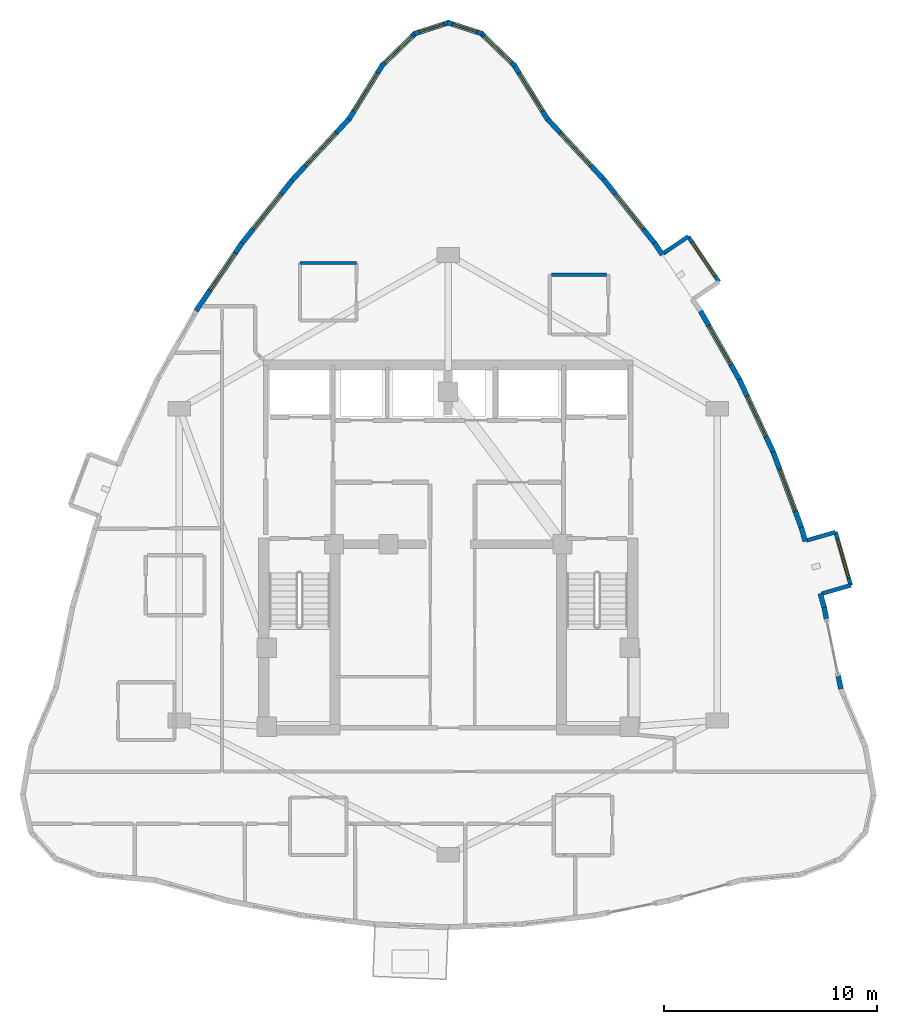
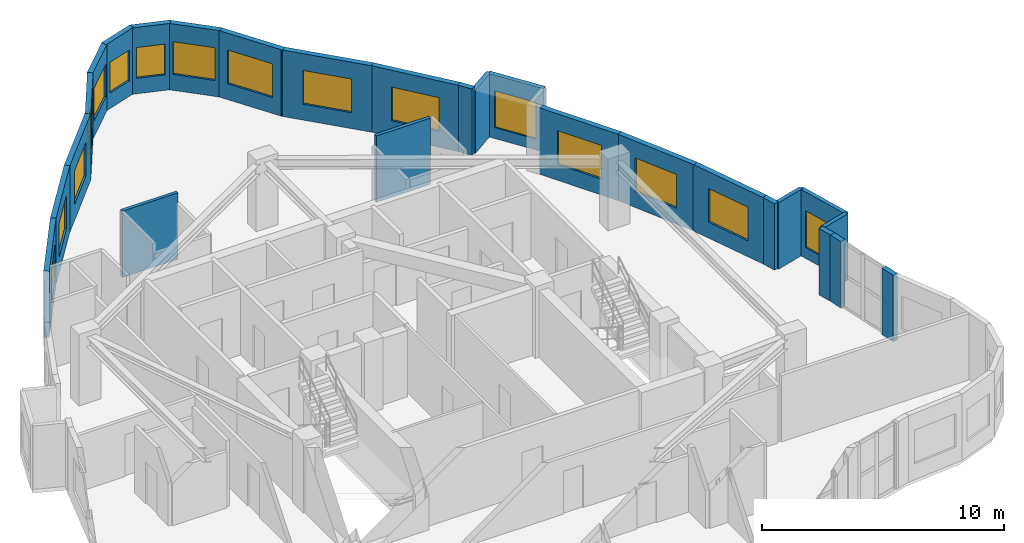
# One storey, part 13 of 15: 26 walls, 16 windows, 16 openings.
"""IFC4 building model written with IfcOpenShell, lengths in metres."""

from ifc_helpers import new_model, si_unit, direction, frame, frame_2d, origin, place, context, subcontext, project, spatial, rectangle, extrude, material, layer, layer_set, type_object, element, fill, save


model = new_model("IFC4")

# Units and contexts
model_context = context("Model", 3, precision=1e-05, world=origin(), true_north=direction((0.0, 1.0)))
body_context = subcontext(model_context, "Body", "Model", "MODEL_VIEW")
ifc_project = project(units=[si_unit("LENGTHUNIT", "METRE"), si_unit("AREAUNIT", "SQUARE_METRE"), si_unit("VOLUMEUNIT", "CUBIC_METRE"), si_unit("PLANEANGLEUNIT", "RADIAN"), si_unit("MASSUNIT", "GRAM", prefix="KILO")], contexts=[model_context])

# Site, building, storey
site_placement = place(None, origin())
site = spatial("IfcSite", under=ifc_project, at=site_placement, CompositionType="ELEMENT")
building_placement = place(site_placement, origin())
building = spatial("IfcBuilding", under=site, at=building_placement, Name="Miruveldt Soraemaru", CompositionType="ELEMENT")
storey_placement = place(building_placement, frame((0.0, 0.0, 234.0)))
storey = spatial("IfcBuildingStorey", under=building, at=storey_placement, Name="L64", CompositionType="ELEMENT", Elevation=234.0)

# Walls
ifc_material_1 = material(Name="White powder-coated aluminium EN AW-6060 T6", Category="aluminium")
ifc_layer_1 = layer(ifc_material_1, 0.18994140625, Name="White powder-coated aluminium EN AW-6060 T6", Category="aluminium")
ifc_layer_set_1 = layer_set([ifc_layer_1], Name="White powder-coated aluminium EN AW-6060 T6")
wall_type_1 = type_object("IfcWallType", Name="WALL-BAY-ALU190", PredefinedType="SOLIDWALL", material=ifc_layer_set_1)
for number, where, z_axis, x_axis, name in (
    (1, (61.493408203125, 41.7294921875, 0.0), (0.0, 0.0, 1.0), (0.961439844578, 0.275015318223, 0.0), "L64 Bay Window Side Cheek 1L"),
    (2, (62.1484375, 44.62109375, 0.0), (0.0, 0.0, 1.0), (-0.961394527133, -0.275173696414, 0.0), "L64 Bay Window Side Cheek 1R"),
):
    element("IfcWall", number, at=place(storey_placement, frame(where, z_axis=z_axis, x_axis=x_axis)), inside=storey, type_object=wall_type_1, Name=name, PredefinedType="SOLIDWALL", context=body_context, shape_type="SweptSolid", body=[
        extrude(rectangle(XDim=1.4248046875, YDim=0.18994140625, at=frame_2d((0.71240234375, 0.0))), origin(), (0.0, 0.0, 1.0), 3.344970703125),
    ])

# Wall, opening, window
wall_1_placement = place(storey_placement, frame((62.86328125, 42.121337890625, 0.0), z_axis=(0.0, 0.0, 1.0), x_axis=(-0.274944358644, 0.961460139397, 0.0)))
wall_1 = element("IfcWall", 3, at=wall_1_placement, inside=storey, type_object=wall_type_1, Name="L64 Bay Window Front Frame 1", PredefinedType="SOLIDWALL", context=body_context, shape_type="SweptSolid", body=[
    extrude(rectangle(XDim=2.599853515625, YDim=0.18994140625, at=frame_2d((1.2998046875, 0.0))), origin(), (0.0, 0.0, 1.0), 3.344970703125),
])
opening_1_placement = place(wall_1_placement, frame((0.35009765625, 0.0, 0.550048828125)))
opening_1 = element("IfcOpeningElement", 4, at=opening_1_placement, cuts=wall_1, Name="Opening WN-6", PredefinedType="OPENING", context=body_context, shape_type="SweptSolid", body=[
    extrude(rectangle(XDim=1.89990234375, YDim=1.85009765625, at=frame_2d((0.949951171875, 0.925048828125))), frame((0.0, 0.10498046875, 0.0), z_axis=(0.0, -1.0, 0.0), x_axis=(1.0, 0.0, 0.0)), (0.0, 0.0, 1.0), 0.2099609375),
])
ifc_material_2 = material(Name="Triple low-e insulated glazing", Category="glass")
window_type_1 = type_object("IfcWindowType", Name="WIN-BAYW-1900x1850", PartitioningType="SINGLE_PANEL", PredefinedType="WINDOW", material=ifc_material_2)
window_1_placement = place(opening_1_placement, origin())
window_1 = element("IfcWindow", 5, at=window_1_placement, inside=storey, type_object=window_type_1, Name="L64 Projecting Bay Window 1", OverallHeight=1.85009765625, OverallWidth=1.89990234375, PartitioningType="SINGLE_PANEL", PredefinedType="WINDOW", context=body_context, shape_type="SweptSolid", body=[
    extrude(rectangle(XDim=1.89990234375, YDim=1.85009765625, at=frame_2d((0.949951171875, 0.925048828125))), frame((0.0, 0.030029296875, 0.0), z_axis=(0.0, -1.0, 0.0), x_axis=(1.0, 0.0, 0.0)), (0.0, 0.0, 1.0), 0.06005859375),
])
fill(opening_1, window_1)

# Wall
wall_2_placement = place(storey_placement, frame((55.2451171875, 58.472412109375, 0.0), z_axis=(0.0, 0.0, 1.0), x_axis=(-0.827916124573, -0.56085193293, 0.0)))
element("IfcWall", 6, at=wall_2_placement, inside=storey, type_object=wall_type_1, Name="L64 Bay Window Side Cheek 2R", PredefinedType="SOLIDWALL", context=body_context, shape_type="SweptSolid", body=[
    extrude(rectangle(XDim=1.42529296875, YDim=0.18994140625, at=frame_2d((0.712646484375, 0.0))), origin(), (0.0, 0.0, 1.0), 3.195068359375),
])

# Wall, opening, window
wall_3_placement = place(storey_placement, frame((56.686279296875, 56.3447265625, 0.0), z_axis=(0.0, 0.0, 1.0), x_axis=(-0.560801930347, 0.827949995422, 0.0)))
wall_3 = element("IfcWall", 7, at=wall_3_placement, inside=storey, type_object=wall_type_1, Name="L64 Bay Window Front Frame 2", PredefinedType="SOLIDWALL", context=body_context, shape_type="SweptSolid", body=[
    extrude(rectangle(XDim=2.56982421875, YDim=0.18994140625, at=frame_2d((1.284912109375, 0.0))), origin(), (0.0, 0.0, 1.0), 3.195068359375),
])
opening_2_placement = place(wall_3_placement, frame((0.3349609375, 0.0, 0.550048828125)))
opening_2 = element("IfcOpeningElement", 8, at=opening_2_placement, cuts=wall_3, Name="Opening WN-6", PredefinedType="OPENING", context=body_context, shape_type="SweptSolid", body=[
    extrude(rectangle(XDim=1.89990234375, YDim=1.85009765625, at=frame_2d((0.949951171875, 0.925048828125))), frame((0.0, 0.10498046875, 0.0), z_axis=(0.0, -1.0, 0.0), x_axis=(1.0, 0.0, 0.0)), (0.0, 0.0, 1.0), 0.2099609375),
])
window_2_placement = place(opening_2_placement, origin())
window_2 = element("IfcWindow", 9, at=window_2_placement, inside=storey, type_object=window_type_1, Name="L64 Projecting Bay Window 2", OverallHeight=1.85009765625, OverallWidth=1.89990234375, PartitioningType="SINGLE_PANEL", PredefinedType="WINDOW", context=body_context, shape_type="SweptSolid", body=[
    extrude(rectangle(XDim=1.89990234375, YDim=1.85009765625, at=frame_2d((0.949951171875, 0.925048828125))), frame((0.0, 0.030029296875, 0.0), z_axis=(0.0, -1.0, 0.0), x_axis=(1.0, 0.0, 0.0)), (0.0, 0.0, 1.0), 0.06005859375),
])
fill(opening_2, window_2)

ifc_material_3 = material(Name="Precast concrete C45/55 (45 MPa)", Category="concrete")
ifc_layer_2 = layer(ifc_material_3, 0.239990234375, Name="Precast concrete C45/55 (45 MPa)", Category="concrete")
ifc_layer_set_2 = layer_set([ifc_layer_2], Name="Precast concrete C45/55 (45 MPa)")
wall_type_2 = type_object("IfcWallType", Name="WALL-EXT-PC240", PredefinedType="SOLIDWALL", material=ifc_layer_set_2)
wall_4_placement = place(storey_placement, frame((48.66015625, 63.95751953125, 0.0), z_axis=(0.0, 0.0, 1.0), x_axis=(-0.526014057758, 0.850475873286, 0.0)))
wall_4 = element("IfcWall", 10, at=wall_4_placement, inside=storey, type_object=wall_type_2, Name="L64 Precast Concrete Facade Wall 1", PredefinedType="SOLIDWALL", context=body_context, shape_type="SweptSolid", body=[
    extrude(rectangle(XDim=3.01123046875, YDim=0.239990234375, at=frame_2d((1.505615234375, 0.0))), origin(), (0.0, 0.0, 1.0), 3.344970703125),
])
opening_3_placement = place(wall_4_placement, frame((0.4560546875, 0.0, 0.800048828125)))
opening_3 = element("IfcOpeningElement", 11, at=opening_3_placement, cuts=wall_4, Name="Opening WN-1", PredefinedType="OPENING", context=body_context, shape_type="SweptSolid", body=[
    extrude(rectangle(XDim=2.10009765625, YDim=1.699951171875, at=frame_2d((1.050048828125, 0.85009765625))), frame((0.0, 0.1298828125, 0.0), z_axis=(0.0, -1.0, 0.0), x_axis=(1.0, 0.0, 0.0)), (0.0, 0.0, 1.0), 0.260009765625),
])
window_type_2 = type_object("IfcWindowType", Name="WIN-PUNCH-2100x1700", PartitioningType="SINGLE_PANEL", PredefinedType="WINDOW", material=ifc_material_2)
window_3_placement = place(opening_3_placement, origin())
window_3 = element("IfcWindow", 12, at=window_3_placement, inside=storey, type_object=window_type_2, Name="L64 Punched Triple-Glazed Window 01.1", OverallHeight=1.699951171875, OverallWidth=2.10009765625, PartitioningType="SINGLE_PANEL", PredefinedType="WINDOW", context=body_context, shape_type="SweptSolid", body=[
    extrude(rectangle(XDim=2.10009765625, YDim=1.699951171875, at=frame_2d((1.050048828125, 0.85009765625))), frame((0.0, 0.030029296875, 0.0), z_axis=(0.0, -1.0, 0.0), x_axis=(1.0, 0.0, 0.0)), (0.0, 0.0, 1.0), 0.06005859375),
])
fill(opening_3, window_3)

wall_5_placement = place(storey_placement, frame((47.11962890625, 66.46435546875, 0.0), z_axis=(0.0, 0.0, 1.0), x_axis=(-0.71777578035, 0.696274320324, 0.0)))
wall_5 = element("IfcWall", 13, at=wall_5_placement, inside=storey, type_object=wall_type_2, Name="L64 Precast Concrete Facade Wall 2", PredefinedType="SOLIDWALL", context=body_context, shape_type="SweptSolid", body=[
    extrude(rectangle(XDim=2.2255859375, YDim=0.239990234375, at=frame_2d((1.11279296875, 0.0))), origin(), (0.0, 0.0, 1.0), 3.344970703125),
])
opening_4_placement = place(wall_5_placement, frame((0.212890625, 0.0, 0.800048828125)))
opening_4 = element("IfcOpeningElement", 14, at=opening_4_placement, cuts=wall_5, Name="Opening WN-2", PredefinedType="OPENING", context=body_context, shape_type="SweptSolid", body=[
    extrude(rectangle(XDim=1.800048828125, YDim=1.64990234375, at=frame_2d((0.89990234375, 0.824951171875))), frame((0.0, 0.1298828125, 0.0), z_axis=(0.0, -1.0, 0.0), x_axis=(1.0, 0.0, 0.0)), (0.0, 0.0, 1.0), 0.260009765625),
])
window_type_3 = type_object("IfcWindowType", Name="WIN-PUNCH-1800x1650", PartitioningType="SINGLE_PANEL", PredefinedType="WINDOW", material=ifc_material_2)
window_4_placement = place(opening_4_placement, origin())
window_4 = element("IfcWindow", 15, at=window_4_placement, inside=storey, type_object=window_type_3, Name="L64 Punched Triple-Glazed Window 02.1", OverallHeight=1.64990234375, OverallWidth=1.800048828125, PartitioningType="SINGLE_PANEL", PredefinedType="WINDOW", context=body_context, shape_type="SweptSolid", body=[
    extrude(rectangle(XDim=1.800048828125, YDim=1.64990234375, at=frame_2d((0.89990234375, 0.824951171875))), frame((0.0, 0.030029296875, 0.0), z_axis=(0.0, -1.0, 0.0), x_axis=(1.0, 0.0, 0.0)), (0.0, 0.0, 1.0), 0.06005859375),
])
fill(opening_4, window_4)

wall_6_placement = place(storey_placement, frame((45.58056640625, 67.978515625, 0.0), z_axis=(0.0, 0.0, 1.0), x_axis=(-0.95146683463, 0.307751299915, 0.0)))
wall_6 = element("IfcWall", 16, at=wall_6_placement, inside=storey, type_object=wall_type_2, Name="L64 Precast Concrete Facade Wall 3", PredefinedType="SOLIDWALL", context=body_context, shape_type="SweptSolid", body=[
    extrude(rectangle(XDim=1.696044921875, YDim=0.239990234375, at=frame_2d((0.84814453125, 0.0))), origin(), (0.0, 0.0, 1.0), 3.344970703125),
])
opening_5_placement = place(wall_6_placement, frame((0.248046875, 0.0, 0.780029296875)))
opening_5 = element("IfcOpeningElement", 17, at=opening_5_placement, cuts=wall_6, Name="Opening WN-4", PredefinedType="OPENING", context=body_context, shape_type="SweptSolid", body=[
    extrude(rectangle(XDim=1.199951171875, YDim=1.550048828125, at=frame_2d((0.60009765625, 0.77490234375))), frame((0.0, 0.1298828125, 0.0), z_axis=(0.0, -1.0, 0.0), x_axis=(1.0, 0.0, 0.0)), (0.0, 0.0, 1.0), 0.260009765625),
])
window_type_4 = type_object("IfcWindowType", Name="WIN-PUNCH-1200x1550", PartitioningType="SINGLE_PANEL", PredefinedType="WINDOW", material=ifc_material_2)
window_5_placement = place(opening_5_placement, origin())
window_5 = element("IfcWindow", 18, at=window_5_placement, inside=storey, type_object=window_type_4, Name="L64 Punched Triple-Glazed Window 03.1", OverallHeight=1.550048828125, OverallWidth=1.199951171875, PartitioningType="SINGLE_PANEL", PredefinedType="WINDOW", context=body_context, shape_type="SweptSolid", body=[
    extrude(rectangle(XDim=1.199951171875, YDim=1.550048828125, at=frame_2d((0.60009765625, 0.77490234375))), frame((0.0, 0.030029296875, 0.0), z_axis=(0.0, -1.0, 0.0), x_axis=(1.0, 0.0, 0.0)), (0.0, 0.0, 1.0), 0.06005859375),
])
fill(opening_5, window_5)

wall_7_placement = place(storey_placement, frame((44.033203125, 68.50048828125, 0.0), z_axis=(0.0, 0.0, 1.0), x_axis=(-0.95146683463, -0.307751299915, 0.0)))
wall_7 = element("IfcWall", 19, at=wall_7_placement, inside=storey, type_object=wall_type_2, Name="L64 Precast Concrete Facade Wall 4", PredefinedType="SOLIDWALL", context=body_context, shape_type="SweptSolid", body=[
    extrude(rectangle(XDim=1.696044921875, YDim=0.239990234375, at=frame_2d((0.84814453125, 0.0))), origin(), (0.0, 0.0, 1.0), 3.344970703125),
])
opening_6_placement = place(wall_7_placement, frame((0.248046875, 0.0, 0.780029296875)))
opening_6 = element("IfcOpeningElement", 20, at=opening_6_placement, cuts=wall_7, Name="Opening WN-4", PredefinedType="OPENING", context=body_context, shape_type="SweptSolid", body=[
    extrude(rectangle(XDim=1.199951171875, YDim=1.550048828125, at=frame_2d((0.60009765625, 0.77490234375))), frame((0.0, 0.1298828125, 0.0), z_axis=(0.0, -1.0, 0.0), x_axis=(1.0, 0.0, 0.0)), (0.0, 0.0, 1.0), 0.260009765625),
])
window_6_placement = place(opening_6_placement, origin())
window_6 = element("IfcWindow", 21, at=window_6_placement, inside=storey, type_object=window_type_4, Name="L64 Punched Triple-Glazed Window 04.1", OverallHeight=1.550048828125, OverallWidth=1.199951171875, PartitioningType="SINGLE_PANEL", PredefinedType="WINDOW", context=body_context, shape_type="SweptSolid", body=[
    extrude(rectangle(XDim=1.199951171875, YDim=1.550048828125, at=frame_2d((0.60009765625, 0.77490234375))), frame((0.0, 0.030029296875, 0.0), z_axis=(0.0, -1.0, 0.0), x_axis=(1.0, 0.0, 0.0)), (0.0, 0.0, 1.0), 0.06005859375),
])
fill(opening_6, window_6)

wall_8_placement = place(storey_placement, frame((42.477783203125, 68.013916015625, 0.0), z_axis=(0.0, 0.0, 1.0), x_axis=(-0.71777578035, -0.696274320324, 0.0)))
wall_8 = element("IfcWall", 22, at=wall_8_placement, inside=storey, type_object=wall_type_2, Name="L64 Precast Concrete Facade Wall 5", PredefinedType="SOLIDWALL", context=body_context, shape_type="SweptSolid", body=[
    extrude(rectangle(XDim=2.2255859375, YDim=0.239990234375, at=frame_2d((1.11279296875, 0.0))), origin(), (0.0, 0.0, 1.0), 3.344970703125),
])
opening_7_placement = place(wall_8_placement, frame((0.212890625, 0.0, 0.800048828125)))
opening_7 = element("IfcOpeningElement", 23, at=opening_7_placement, cuts=wall_8, Name="Opening WN-2", PredefinedType="OPENING", context=body_context, shape_type="SweptSolid", body=[
    extrude(rectangle(XDim=1.800048828125, YDim=1.64990234375, at=frame_2d((0.89990234375, 0.824951171875))), frame((0.0, 0.1298828125, 0.0), z_axis=(0.0, -1.0, 0.0), x_axis=(1.0, 0.0, 0.0)), (0.0, 0.0, 1.0), 0.260009765625),
])
window_7_placement = place(opening_7_placement, origin())
window_7 = element("IfcWindow", 24, at=window_7_placement, inside=storey, type_object=window_type_3, Name="L64 Punched Triple-Glazed Window 05.1", OverallHeight=1.64990234375, OverallWidth=1.800048828125, PartitioningType="SINGLE_PANEL", PredefinedType="WINDOW", context=body_context, shape_type="SweptSolid", body=[
    extrude(rectangle(XDim=1.800048828125, YDim=1.64990234375, at=frame_2d((0.89990234375, 0.824951171875))), frame((0.0, 0.030029296875, 0.0), z_axis=(0.0, -1.0, 0.0), x_axis=(1.0, 0.0, 0.0)), (0.0, 0.0, 1.0), 0.06005859375),
])
fill(opening_7, window_7)

wall_9_placement = place(storey_placement, frame((40.923828125, 66.5185546875, 0.0), z_axis=(0.0, 0.0, 1.0), x_axis=(-0.526014057758, -0.850475873286, 0.0)))
wall_9 = element("IfcWall", 25, at=wall_9_placement, inside=storey, type_object=wall_type_2, Name="L64 Precast Concrete Facade Wall 6", PredefinedType="SOLIDWALL", context=body_context, shape_type="SweptSolid", body=[
    extrude(rectangle(XDim=3.01123046875, YDim=0.239990234375, at=frame_2d((1.505615234375, 0.0))), origin(), (0.0, 0.0, 1.0), 3.344970703125),
])
opening_8_placement = place(wall_9_placement, frame((0.4560546875, 0.0, 0.800048828125)))
opening_8 = element("IfcOpeningElement", 26, at=opening_8_placement, cuts=wall_9, Name="Opening WN-1", PredefinedType="OPENING", context=body_context, shape_type="SweptSolid", body=[
    extrude(rectangle(XDim=2.10009765625, YDim=1.699951171875, at=frame_2d((1.050048828125, 0.85009765625))), frame((0.0, 0.1298828125, 0.0), z_axis=(0.0, -1.0, 0.0), x_axis=(1.0, 0.0, 0.0)), (0.0, 0.0, 1.0), 0.260009765625),
])
window_8_placement = place(opening_8_placement, origin())
window_8 = element("IfcWindow", 27, at=window_8_placement, inside=storey, type_object=window_type_2, Name="L64 Punched Triple-Glazed Window 06.1", OverallHeight=1.699951171875, OverallWidth=2.10009765625, PartitioningType="SINGLE_PANEL", PredefinedType="WINDOW", context=body_context, shape_type="SweptSolid", body=[
    extrude(rectangle(XDim=2.10009765625, YDim=1.699951171875, at=frame_2d((1.050048828125, 0.85009765625))), frame((0.0, 0.030029296875, 0.0), z_axis=(0.0, -1.0, 0.0), x_axis=(1.0, 0.0, 0.0)), (0.0, 0.0, 1.0), 0.06005859375),
])
fill(opening_8, window_8)

wall_10_placement = place(storey_placement, frame((39.382080078125, 64.012939453125, 0.0), z_axis=(0.0, 0.0, 1.0), x_axis=(-0.68090667477, -0.732370193449, 0.0)))
wall_10 = element("IfcWall", 28, at=wall_10_placement, inside=storey, type_object=wall_type_2, Name="L64 Precast Concrete Facade Wall 7", PredefinedType="SOLIDWALL", context=body_context, shape_type="SweptSolid", body=[
    extrude(rectangle(XDim=3.966064453125, YDim=0.239990234375, at=frame_2d((1.98291015625, 0.0))), origin(), (0.0, 0.0, 1.0), 3.344970703125),
])
opening_9_placement = place(wall_10_placement, frame((0.93310546875, 0.0, 0.800048828125)))
opening_9 = element("IfcOpeningElement", 29, at=opening_9_placement, cuts=wall_10, Name="Opening WN-1", PredefinedType="OPENING", context=body_context, shape_type="SweptSolid", body=[
    extrude(rectangle(XDim=2.10009765625, YDim=1.699951171875, at=frame_2d((1.050048828125, 0.85009765625))), frame((0.0, 0.1298828125, 0.0), z_axis=(0.0, -1.0, 0.0), x_axis=(1.0, 0.0, 0.0)), (0.0, 0.0, 1.0), 0.260009765625),
])
window_9_placement = place(opening_9_placement, origin())
window_9 = element("IfcWindow", 30, at=window_9_placement, inside=storey, type_object=window_type_2, Name="L64 Punched Triple-Glazed Window 07.1", OverallHeight=1.699951171875, OverallWidth=2.10009765625, PartitioningType="SINGLE_PANEL", PredefinedType="WINDOW", context=body_context, shape_type="SweptSolid", body=[
    extrude(rectangle(XDim=2.10009765625, YDim=1.699951171875, at=frame_2d((1.050048828125, 0.85009765625))), frame((0.0, 0.030029296875, 0.0), z_axis=(0.0, -1.0, 0.0), x_axis=(1.0, 0.0, 0.0)), (0.0, 0.0, 1.0), 0.06005859375),
])
fill(opening_9, window_9)

wall_11_placement = place(storey_placement, frame((36.727294921875, 61.161376953125, 0.0), z_axis=(0.0, 0.0, 1.0), x_axis=(-0.62359405352, -0.78174833317, 0.0)))
wall_11 = element("IfcWall", 31, at=wall_11_placement, inside=storey, type_object=wall_type_2, Name="L64 Precast Concrete Facade Wall 8", PredefinedType="SOLIDWALL", context=body_context, shape_type="SweptSolid", body=[
    extrude(rectangle(XDim=3.896240234375, YDim=0.239990234375, at=frame_2d((1.9482421875, 0.0))), origin(), (0.0, 0.0, 1.0), 3.344970703125),
])
opening_10_placement = place(wall_11_placement, frame((0.89794921875, 0.0, 0.800048828125)))
opening_10 = element("IfcOpeningElement", 32, at=opening_10_placement, cuts=wall_11, Name="Opening WN-1", PredefinedType="OPENING", context=body_context, shape_type="SweptSolid", body=[
    extrude(rectangle(XDim=2.10009765625, YDim=1.699951171875, at=frame_2d((1.050048828125, 0.85009765625))), frame((0.0, 0.1298828125, 0.0), z_axis=(0.0, -1.0, 0.0), x_axis=(1.0, 0.0, 0.0)), (0.0, 0.0, 1.0), 0.260009765625),
])
window_10_placement = place(opening_10_placement, origin())
window_10 = element("IfcWindow", 33, at=window_10_placement, inside=storey, type_object=window_type_2, Name="L64 Punched Triple-Glazed Window 08.1", OverallHeight=1.699951171875, OverallWidth=2.10009765625, PartitioningType="SINGLE_PANEL", PredefinedType="WINDOW", context=body_context, shape_type="SweptSolid", body=[
    extrude(rectangle(XDim=2.10009765625, YDim=1.699951171875, at=frame_2d((1.050048828125, 0.85009765625))), frame((0.0, 0.030029296875, 0.0), z_axis=(0.0, -1.0, 0.0), x_axis=(1.0, 0.0, 0.0)), (0.0, 0.0, 1.0), 0.06005859375),
])
fill(opening_10, window_10)

wall_12_placement = place(storey_placement, frame((34.3388671875, 58.171875, 0.0), z_axis=(0.0, 0.0, 1.0), x_axis=(-0.560818690151, -0.827938643123, 0.0)))
wall_12 = element("IfcWall", 34, at=wall_12_placement, inside=storey, type_object=wall_type_2, Name="L64 Precast Concrete Facade Wall 9", PredefinedType="SOLIDWALL", context=body_context, shape_type="SweptSolid", body=[
    extrude(rectangle(XDim=3.8486328125, YDim=0.239990234375, at=frame_2d((1.92431640625, 0.0))), origin(), (0.0, 0.0, 1.0), 3.344970703125),
])
opening_11_placement = place(wall_12_placement, frame((0.5791015625, 0.0, 0.800048828125)))
opening_11 = element("IfcOpeningElement", 35, at=opening_11_placement, cuts=wall_12, Name="Opening WN-1", PredefinedType="OPENING", context=body_context, shape_type="SweptSolid", body=[
    extrude(rectangle(XDim=2.10009765625, YDim=1.699951171875, at=frame_2d((1.050048828125, 0.85009765625))), frame((0.0, 0.1298828125, 0.0), z_axis=(0.0, -1.0, 0.0), x_axis=(1.0, 0.0, 0.0)), (0.0, 0.0, 1.0), 0.260009765625),
])
window_11_placement = place(opening_11_placement, origin())
window_11 = element("IfcWindow", 36, at=window_11_placement, inside=storey, type_object=window_type_2, Name="L64 Punched Triple-Glazed Window 09.1", OverallHeight=1.699951171875, OverallWidth=2.10009765625, PartitioningType="SINGLE_PANEL", PredefinedType="WINDOW", context=body_context, shape_type="SweptSolid", body=[
    extrude(rectangle(XDim=2.10009765625, YDim=1.699951171875, at=frame_2d((1.050048828125, 0.85009765625))), frame((0.0, 0.030029296875, 0.0), z_axis=(0.0, -1.0, 0.0), x_axis=(1.0, 0.0, 0.0)), (0.0, 0.0, 1.0), 0.06005859375),
])
fill(opening_11, window_11)

# Walls
wall_13_placement = place(storey_placement, frame((62.401611328125, 37.2744140625, 0.0), z_axis=(0.0, 0.0, 1.0), x_axis=(-0.201574740151, 0.979473135993, 0.0)))
element("IfcWall", 37, at=wall_13_placement, inside=storey, type_object=wall_type_2, Name="L64 Precast Pier Left 35", PredefinedType="SOLIDWALL", context=body_context, shape_type="SweptSolid", body=[
    extrude(rectangle(XDim=0.704833984375, YDim=0.239990234375, at=frame_2d((0.3525390625, 0.0))), origin(), (0.0, 0.0, 1.0), 3.344970703125),
])
wall_14_placement = place(storey_placement, frame((61.744140625, 40.468505859375, 0.0), z_axis=(0.0, 0.0, 1.0), x_axis=(-0.201506380856, 0.979487201792, 0.0)))
element("IfcWall", 38, at=wall_14_placement, inside=storey, type_object=wall_type_2, Name="L64 Precast Pier Right 35", PredefinedType="SOLIDWALL", context=body_context, shape_type="SweptSolid", body=[
    extrude(rectangle(XDim=0.705078125, YDim=0.239990234375, at=frame_2d((0.3525390625, 0.0))), origin(), (0.0, 0.0, 1.0), 3.344970703125),
])
wall_15_placement = place(storey_placement, frame((61.61865234375, 41.091064453125, 0.0), z_axis=(0.0, 0.0, 1.0), x_axis=(-0.274673581503, 0.961537531053, 0.0)))
element("IfcWall", 39, at=wall_15_placement, inside=storey, type_object=wall_type_2, Name="L64 Precast Pier Wall 36A", PredefinedType="SOLIDWALL", context=body_context, shape_type="SweptSolid", body=[
    extrude(rectangle(XDim=0.67822265625, YDim=0.239990234375, at=frame_2d((0.339111328125, 0.0))), origin(), (0.0, 0.0, 1.0), 3.344970703125),
])
wall_16_placement = place(storey_placement, frame((60.73388671875, 44.185302734375, 0.0), z_axis=(0.0, 0.0, 1.0), x_axis=(-0.275101568899, 0.961415168795, 0.0)))
element("IfcWall", 40, at=wall_16_placement, inside=storey, type_object=wall_type_2, Name="L64 Precast Pier Wall 36B", PredefinedType="SOLIDWALL", context=body_context, shape_type="SweptSolid", body=[
    extrude(rectangle(XDim=0.677978515625, YDim=0.239990234375, at=frame_2d((0.3388671875, 0.0))), origin(), (0.0, 0.0, 1.0), 3.344970703125),
])

# Wall, opening, window
wall_17_placement = place(storey_placement, frame((60.569091796875, 44.770751953125, 0.0), z_axis=(0.0, 0.0, 1.0), x_axis=(-0.349016182765, 0.937116697198, 0.0)))
wall_17 = element("IfcWall", 41, at=wall_17_placement, inside=storey, type_object=wall_type_2, Name="L64 Precast Concrete Facade Wall 37", PredefinedType="SOLIDWALL", context=body_context, shape_type="SweptSolid", body=[
    extrude(rectangle(XDim=3.8486328125, YDim=0.239990234375, at=frame_2d((1.92431640625, 0.0))), origin(), (0.0, 0.0, 1.0), 3.344970703125),
])
opening_12_placement = place(wall_17_placement, frame((0.875, 0.0, 0.800048828125)))
opening_12 = element("IfcOpeningElement", 42, at=opening_12_placement, cuts=wall_17, Name="Opening WN-1", PredefinedType="OPENING", context=body_context, shape_type="SweptSolid", body=[
    extrude(rectangle(XDim=2.10009765625, YDim=1.699951171875, at=frame_2d((1.050048828125, 0.85009765625))), frame((0.0, 0.1298828125, 0.0), z_axis=(0.0, -1.0, 0.0), x_axis=(1.0, 0.0, 0.0)), (0.0, 0.0, 1.0), 0.260009765625),
])
window_12_placement = place(opening_12_placement, origin())
window_12 = element("IfcWindow", 43, at=window_12_placement, inside=storey, type_object=window_type_2, Name="L64 Punched Triple-Glazed Window 37.1", OverallHeight=1.699951171875, OverallWidth=2.10009765625, PartitioningType="SINGLE_PANEL", PredefinedType="WINDOW", context=body_context, shape_type="SweptSolid", body=[
    extrude(rectangle(XDim=2.10009765625, YDim=1.699951171875, at=frame_2d((1.050048828125, 0.85009765625))), frame((0.0, 0.030029296875, 0.0), z_axis=(0.0, -1.0, 0.0), x_axis=(1.0, 0.0, 0.0)), (0.0, 0.0, 1.0), 0.06005859375),
])
fill(opening_12, window_12)

wall_18_placement = place(storey_placement, frame((59.2529296875, 48.31298828125, 0.0), z_axis=(0.0, 0.0, 1.0), x_axis=(-0.42232625423, 0.906443895113, 0.0)))
wall_18 = element("IfcWall", 44, at=wall_18_placement, inside=storey, type_object=wall_type_2, Name="L64 Precast Concrete Facade Wall 38", PredefinedType="SOLIDWALL", context=body_context, shape_type="SweptSolid", body=[
    extrude(rectangle(XDim=3.82470703125, YDim=0.239990234375, at=frame_2d((1.912353515625, 0.0))), origin(), (0.0, 0.0, 1.0), 3.344970703125),
])
opening_13_placement = place(wall_18_placement, frame((0.863037109375, 0.0, 0.800048828125)))
opening_13 = element("IfcOpeningElement", 45, at=opening_13_placement, cuts=wall_18, Name="Opening WN-1", PredefinedType="OPENING", context=body_context, shape_type="SweptSolid", body=[
    extrude(rectangle(XDim=2.10009765625, YDim=1.699951171875, at=frame_2d((1.050048828125, 0.85009765625))), frame((0.0, 0.1298828125, 0.0), z_axis=(0.0, -1.0, 0.0), x_axis=(1.0, 0.0, 0.0)), (0.0, 0.0, 1.0), 0.260009765625),
])
window_13_placement = place(opening_13_placement, origin())
window_13 = element("IfcWindow", 46, at=window_13_placement, inside=storey, type_object=window_type_2, Name="L64 Punched Triple-Glazed Window 38.1", OverallHeight=1.699951171875, OverallWidth=2.10009765625, PartitioningType="SINGLE_PANEL", PredefinedType="WINDOW", context=body_context, shape_type="SweptSolid", body=[
    extrude(rectangle(XDim=2.10009765625, YDim=1.699951171875, at=frame_2d((1.050048828125, 0.85009765625))), frame((0.0, 0.030029296875, 0.0), z_axis=(0.0, -1.0, 0.0), x_axis=(1.0, 0.0, 0.0)), (0.0, 0.0, 1.0), 0.06005859375),
])
fill(opening_13, window_13)

wall_19_placement = place(storey_placement, frame((57.669677734375, 51.7177734375, 0.0), z_axis=(0.0, 0.0, 1.0), x_axis=(-0.493352359711, 0.86982955179, 0.0)))
wall_19 = element("IfcWall", 47, at=wall_19_placement, inside=storey, type_object=wall_type_2, Name="L64 Precast Concrete Facade Wall 39", PredefinedType="SOLIDWALL", context=body_context, shape_type="SweptSolid", body=[
    extrude(rectangle(XDim=3.82470703125, YDim=0.239990234375, at=frame_2d((1.912353515625, 0.0))), origin(), (0.0, 0.0, 1.0), 3.344970703125),
])
opening_14_placement = place(wall_19_placement, frame((0.863037109375, 0.0, 0.800048828125)))
opening_14 = element("IfcOpeningElement", 48, at=opening_14_placement, cuts=wall_19, Name="Opening WN-1", PredefinedType="OPENING", context=body_context, shape_type="SweptSolid", body=[
    extrude(rectangle(XDim=2.10009765625, YDim=1.699951171875, at=frame_2d((1.050048828125, 0.85009765625))), frame((0.0, 0.1298828125, 0.0), z_axis=(0.0, -1.0, 0.0), x_axis=(1.0, 0.0, 0.0)), (0.0, 0.0, 1.0), 0.260009765625),
])
window_14_placement = place(opening_14_placement, origin())
window_14 = element("IfcWindow", 49, at=window_14_placement, inside=storey, type_object=window_type_2, Name="L64 Punched Triple-Glazed Window 39.1", OverallHeight=1.699951171875, OverallWidth=2.10009765625, PartitioningType="SINGLE_PANEL", PredefinedType="WINDOW", context=body_context, shape_type="SweptSolid", body=[
    extrude(rectangle(XDim=2.10009765625, YDim=1.699951171875, at=frame_2d((1.050048828125, 0.85009765625))), frame((0.0, 0.030029296875, 0.0), z_axis=(0.0, -1.0, 0.0), x_axis=(1.0, 0.0, 0.0)), (0.0, 0.0, 1.0), 0.06005859375),
])
fill(opening_14, window_14)

# Wall
wall_20_placement = place(storey_placement, frame((54.03662109375, 57.61767578125, 0.0), z_axis=(0.0, 0.0, 1.0), x_axis=(-0.560912655774, 0.82787498609, 0.0)))
element("IfcWall", 50, at=wall_20_placement, inside=storey, type_object=wall_type_2, Name="L64 Precast Pier Wall 40B", PredefinedType="SOLIDWALL", context=body_context, shape_type="SweptSolid", body=[
    extrude(rectangle(XDim=0.66943359375, YDim=0.239990234375, at=frame_2d((0.334716796875, 0.0))), origin(), (0.0, 0.0, 1.0), 3.344970703125),
])

# Wall, opening, window
wall_21_placement = place(storey_placement, frame((53.702392578125, 58.115478515625, 0.0), z_axis=(0.0, 0.0, 1.0), x_axis=(-0.62359405352, 0.78174833317, 0.0)))
wall_21 = element("IfcWall", 51, at=wall_21_placement, inside=storey, type_object=wall_type_2, Name="L64 Precast Concrete Facade Wall 41", PredefinedType="SOLIDWALL", context=body_context, shape_type="SweptSolid", body=[
    extrude(rectangle(XDim=3.896240234375, YDim=0.239990234375, at=frame_2d((1.9482421875, 0.0))), origin(), (0.0, 0.0, 1.0), 3.344970703125),
])
opening_15_placement = place(wall_21_placement, frame((0.89794921875, 0.0, 0.800048828125)))
opening_15 = element("IfcOpeningElement", 52, at=opening_15_placement, cuts=wall_21, Name="Opening WN-1", PredefinedType="OPENING", context=body_context, shape_type="SweptSolid", body=[
    extrude(rectangle(XDim=2.10009765625, YDim=1.699951171875, at=frame_2d((1.050048828125, 0.85009765625))), frame((0.0, 0.1298828125, 0.0), z_axis=(0.0, -1.0, 0.0), x_axis=(1.0, 0.0, 0.0)), (0.0, 0.0, 1.0), 0.260009765625),
])
window_15_placement = place(opening_15_placement, origin())
window_15 = element("IfcWindow", 53, at=window_15_placement, inside=storey, type_object=window_type_2, Name="L64 Punched Triple-Glazed Window 41.1", OverallHeight=1.699951171875, OverallWidth=2.10009765625, PartitioningType="SINGLE_PANEL", PredefinedType="WINDOW", context=body_context, shape_type="SweptSolid", body=[
    extrude(rectangle(XDim=2.10009765625, YDim=1.699951171875, at=frame_2d((1.050048828125, 0.85009765625))), frame((0.0, 0.030029296875, 0.0), z_axis=(0.0, -1.0, 0.0), x_axis=(1.0, 0.0, 0.0)), (0.0, 0.0, 1.0), 0.06005859375),
])
fill(opening_15, window_15)

wall_22_placement = place(storey_placement, frame((51.318359375, 61.1083984375, 0.0), z_axis=(0.0, 0.0, 1.0), x_axis=(-0.68090667477, 0.732370193449, 0.0)))
wall_22 = element("IfcWall", 54, at=wall_22_placement, inside=storey, type_object=wall_type_2, Name="L64 Precast Concrete Facade Wall 42", PredefinedType="SOLIDWALL", context=body_context, shape_type="SweptSolid", body=[
    extrude(rectangle(XDim=3.966064453125, YDim=0.239990234375, at=frame_2d((1.98291015625, 0.0))), origin(), (0.0, 0.0, 1.0), 3.344970703125),
])
opening_16_placement = place(wall_22_placement, frame((0.93310546875, 0.0, 0.800048828125)))
opening_16 = element("IfcOpeningElement", 55, at=opening_16_placement, cuts=wall_22, Name="Opening WN-1", PredefinedType="OPENING", context=body_context, shape_type="SweptSolid", body=[
    extrude(rectangle(XDim=2.10009765625, YDim=1.699951171875, at=frame_2d((1.050048828125, 0.85009765625))), frame((0.0, 0.1298828125, 0.0), z_axis=(0.0, -1.0, 0.0), x_axis=(1.0, 0.0, 0.0)), (0.0, 0.0, 1.0), 0.260009765625),
])
window_16_placement = place(opening_16_placement, origin())
window_16 = element("IfcWindow", 56, at=window_16_placement, inside=storey, type_object=window_type_2, Name="L64 Punched Triple-Glazed Window 42.1", OverallHeight=1.699951171875, OverallWidth=2.10009765625, PartitioningType="SINGLE_PANEL", PredefinedType="WINDOW", context=body_context, shape_type="SweptSolid", body=[
    extrude(rectangle(XDim=2.10009765625, YDim=1.699951171875, at=frame_2d((1.050048828125, 0.85009765625))), frame((0.0, 0.030029296875, 0.0), z_axis=(0.0, -1.0, 0.0), x_axis=(1.0, 0.0, 0.0)), (0.0, 0.0, 1.0), 0.06005859375),
])
fill(opening_16, window_16)

# Walls
ifc_material_4 = material(Name="Gypsum plasterboard lining", Category="gypsum")
ifc_layer_3 = layer(ifc_material_4, 0.14990234375, Name="Gypsum plasterboard lining", Category="gypsum")
ifc_layer_set_3 = layer_set([ifc_layer_3], Name="Gypsum plasterboard lining")
wall_type_3 = type_object("IfcWallType", Name="WALL-INT-PLUMB", PredefinedType="PLUMBINGWALL", material=ifc_layer_set_3)
wall_23_placement = place(storey_placement, frame((39.698974609375, 57.22998046875, 0.0), z_axis=(0.0, 0.0, 1.0), x_axis=(-1.0, 0.0, 0.0)))
element("IfcWall", 57, at=wall_23_placement, inside=storey, type_object=wall_type_3, Name="L64 Partition Wall 36", PredefinedType="PLUMBINGWALL", context=body_context, shape_type="SweptSolid", body=[
    extrude(rectangle(XDim=2.64990234375, YDim=0.14990234375, at=frame_2d((1.324951171875, 0.0))), origin(), (0.0, 0.0, 1.0), 3.344970703125),
])
ifc_material_5 = material(Name="Concrete C40/50 (40 MPa)", Category="concrete")
ifc_layer_4 = layer(ifc_material_5, 0.159912109375, Name="Concrete C40/50 (40 MPa)", Category="concrete")
ifc_layer_set_4 = layer_set([ifc_layer_4], Name="Concrete C40/50 (40 MPa)")
wall_type_4 = type_object("IfcWallType", Name="WALL-INT-RC160", PredefinedType="SOLIDWALL", material=ifc_layer_set_4)
wall_24_placement = place(storey_placement, frame((51.4189453125, 56.679931640625, 0.0), z_axis=(0.0, 0.0, 1.0), x_axis=(-1.0, 0.0, 0.0)))
element("IfcWall", 58, at=wall_24_placement, inside=storey, type_object=wall_type_4, Name="L64 Partition Wall 40", PredefinedType="SOLIDWALL", context=body_context, shape_type="SweptSolid", body=[
    extrude(rectangle(XDim=2.58984375, YDim=0.159912109375, at=frame_2d((1.294921875, 0.0))), origin(), (0.0, 0.0, 1.0), 3.344970703125),
])

save(model, "model.ifc")
